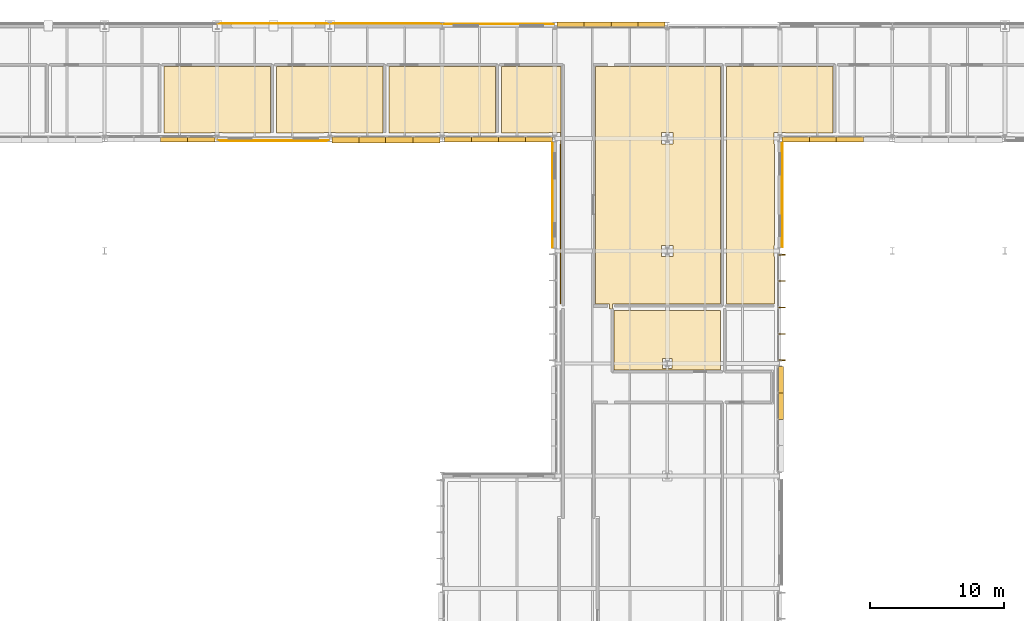
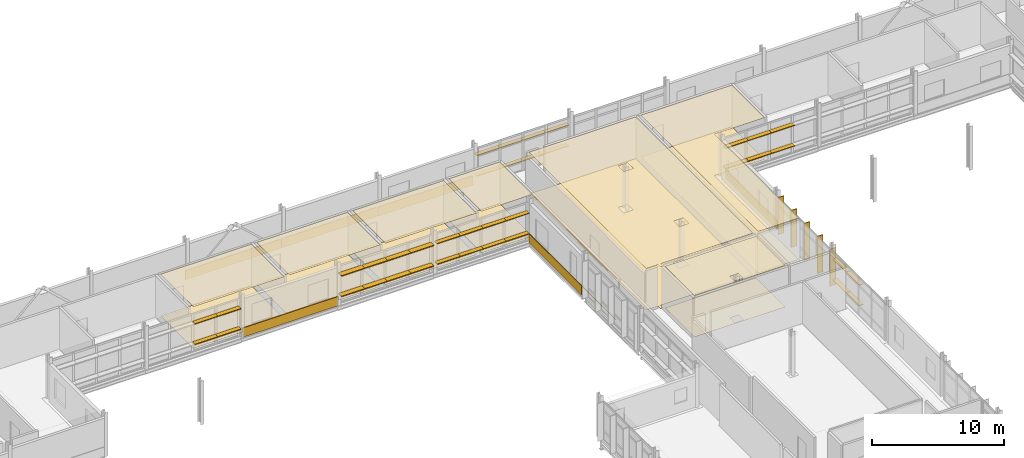
# One storey, part 144 of 151: 43 shading devices, 20 coverings.
"""IFC4 building model written with IfcOpenShell, lengths in metres."""

import ifcopenshell
import ifcopenshell.guid

model = None  # the IFC model being written
_history = None  # IfcOwnerHistory: only IFC2X3 demands one
_inside = {}  # id of a spatial element -> (the spatial element, [elements in it])
_under = {}  # id of a project, library or spatial element -> (it, [spatial elements below it])
_declared = {}  # id of a project -> (the project, [libraries it declares])
_typed = {}  # id of a type object -> (the type object, [elements of that type])
_made_of = {}  # id of a material, layer set ... -> (it, [elements and type objects made of it])


def new_model(schema):
    """Start an empty IFC model of exactly this schema.

    Asked for "IFC4X3", IfcOpenShell would pick the latest addendum, in which some entities
    have other attributes; the version numbers below select the first issue.
    IFC2X3 requires an IfcOwnerHistory on every rooted entity: one is made here for all.
    """
    global model, _history
    if schema == "IFC4X3":
        model = ifcopenshell.file(schema_version=(4, 3, 0, 0))
    else:
        model = ifcopenshell.file(schema=schema)
    _inside.clear()
    _under.clear()
    _declared.clear()
    _typed.clear()
    _made_of.clear()
    _history = None
    if model.schema == "IFC2X3":
        org = make("IfcOrganization", Name="unknown")
        user = make(
            "IfcPersonAndOrganization",
            ThePerson=make("IfcPerson", FamilyName="unknown"),
            TheOrganization=org,
        )
        app = make(
            "IfcApplication",
            ApplicationDeveloper=org,
            Version="unknown",
            ApplicationFullName="unknown",
            ApplicationIdentifier="unknown",
        )
        _history = make(
            "IfcOwnerHistory",
            OwningUser=user,
            OwningApplication=app,
            ChangeAction="ADDED",
            CreationDate=0,
        )
    return model


def make(cls, **values):
    """One entity of the class cls with the attributes given. An attribute that is None is left unset."""
    return model.create_entity(
        cls, **{name: value for name, value in values.items() if value is not None}
    )


def rooted(cls, **values):
    """An entity with a GlobalId (a new one), such as an element, a storey or a relation."""
    return make(cls, GlobalId=ifcopenshell.guid.new(), OwnerHistory=_history, **values)


def si_unit(unit_type, name, prefix=None):
    """IfcSIUnit, for example si_unit("LENGTHUNIT", "METRE", prefix="MILLI")."""
    return make("IfcSIUnit", UnitType=unit_type, Prefix=prefix, Name=name)


def assignment(units):
    """IfcUnitAssignment: the units of a project."""
    return None if units is None else make("IfcUnitAssignment", Units=units)


def point(xyz):
    """IfcCartesianPoint."""
    return None if xyz is None else make("IfcCartesianPoint", Coordinates=xyz)


def direction(xyz):
    """IfcDirection."""
    return None if xyz is None else make("IfcDirection", DirectionRatios=xyz)


def frame(location, z_axis=None, x_axis=None):
    """IfcAxis2Placement3D, a coordinate frame: its origin and axes. An axis left out is left unset."""
    return make(
        "IfcAxis2Placement3D",
        Location=point(location),
        Axis=direction(z_axis),
        RefDirection=direction(x_axis),
    )


def frame_2d(location, x_axis=None):
    """IfcAxis2Placement2D, a coordinate frame in the plane: its origin and x axis."""
    return make(
        "IfcAxis2Placement2D", Location=point(location), RefDirection=direction(x_axis)
    )


def origin():
    """The frame at (0, 0, 0) with its axes left unset."""
    return frame((0.0, 0.0, 0.0))


def origin_2d():
    """The frame at (0, 0) in the plane with its x axis left unset."""
    return frame_2d((0.0, 0.0))


def place(relative_to, where):
    """IfcLocalPlacement: puts the frame where relative to a parent placement (None: the world)."""
    return make(
        "IfcLocalPlacement", PlacementRelTo=relative_to, RelativePlacement=where
    )


def context(
    kind, dimensions, precision=None, world=None, true_north=None, identifier=None
):
    """IfcGeometricRepresentationContext, for example the 3D "Model" context."""
    return make(
        "IfcGeometricRepresentationContext",
        ContextIdentifier=identifier,
        ContextType=kind,
        CoordinateSpaceDimension=dimensions,
        Precision=precision,
        WorldCoordinateSystem=world,
        TrueNorth=true_north,
    )


def subcontext(parent, identifier, kind, view, scale=None):
    """IfcGeometricRepresentationSubContext, for example "Body" below "Model"."""
    return make(
        "IfcGeometricRepresentationSubContext",
        ContextIdentifier=identifier,
        ContextType=kind,
        ParentContext=parent,
        TargetScale=scale,
        TargetView=view,
    )


def project(units=None, contexts=None):
    """IfcProject with its units and contexts."""
    return rooted(
        "IfcProject",
        Name="project",
        RepresentationContexts=contexts,
        UnitsInContext=assignment(units),
    )


def spatial(cls, under=None, at=None, **own):
    """A site, building, storey or space (cls), placed at a placement, below another one or the project."""
    s = rooted(cls, ObjectPlacement=at, **own)
    if under is not None:
        _under.setdefault(under.id(), (under, []))[1].append(s)
    return s


def polyline(points):
    """IfcPolyline through the points."""
    return make("IfcPolyline", Points=[point(p) for p in points])


def profile(cls, at=None, kind="AREA", **sizes):
    """A parametric profile (cls). Its sizes go by their IFC names, for example OverallWidth=200.0."""
    return make(cls, ProfileType=kind, Position=at, **sizes)


def rectangle(**sizes):
    """IfcRectangleProfileDef."""
    return profile("IfcRectangleProfileDef", **sizes)


def outline(outer, holes=None, kind="AREA"):
    """IfcArbitraryClosedProfileDef: a profile drawn as a closed curve; with holes, ...WithVoids."""
    if holes is None:
        return make("IfcArbitraryClosedProfileDef", ProfileType=kind, OuterCurve=outer)
    return make(
        "IfcArbitraryProfileDefWithVoids",
        ProfileType=kind,
        OuterCurve=outer,
        InnerCurves=holes,
    )


def extrude(swept, where, along, depth):
    """IfcExtrudedAreaSolid: the profile swept, set in the frame where, extruded along a direction by depth."""
    return make(
        "IfcExtrudedAreaSolid",
        SweptArea=swept,
        Position=where,
        ExtrudedDirection=direction(along),
        Depth=depth,
    )


def shape(context_of_items, identifier, shape_type, items):
    """IfcShapeRepresentation: the items that make up one representation, for example the "Body"."""
    return make(
        "IfcShapeRepresentation",
        ContextOfItems=context_of_items,
        RepresentationIdentifier=identifier,
        RepresentationType=shape_type,
        Items=items,
    )


def material(Name=None, Category=None):
    """IfcMaterial."""
    return make("IfcMaterial", Name=Name, Category=Category)


def layer(
    of_material, thickness, ventilated=None, Name=None, Category=None, Priority=None
):
    """IfcMaterialLayer: one layer of a wall or slab, of a material (None: an air gap)."""
    return make(
        "IfcMaterialLayer",
        Material=of_material,
        LayerThickness=thickness,
        IsVentilated=ventilated,
        Name=Name,
        Category=Category,
        Priority=Priority,
    )


def layer_set(layers, Name=None):
    """IfcMaterialLayerSet."""
    return make("IfcMaterialLayerSet", MaterialLayers=layers, LayerSetName=Name)


def made_of(thing, what):
    """Note that an element or type object is made of a material, layer set ...; save() writes the relation."""
    if what is not None:
        _made_of.setdefault(what.id(), (what, []))[1].append(thing)
    return thing


def type_object(cls, material=None, **own):
    """A type object (cls), such as IfcWallType, which elements share."""
    return made_of(rooted(cls, **own), material)


def element(
    cls,
    number,
    at=None,
    inside=None,
    cuts=None,
    type_object=None,
    material=None,
    context=None,
    identifier="Body",
    shape_type=None,
    held_by="IfcProductDefinitionShape",
    body=None,
    shapes=None,
    **own,
):
    """One element of the class cls, such as IfcWall. Its Tag is "e" and its number.

    at: its placement. inside: the storey or other place that contains it. cuts: it is an
    opening in that element (IfcRelVoidsElement). A single representation is given by context,
    identifier, shape_type and body (its items); several are given by shapes. held_by: the class
    of the entity that holds the representations. save() writes the other relations.
    """
    e = rooted(cls, Tag="e%d" % number, ObjectPlacement=at, **own)
    if body is not None:
        shapes = [shape(context, identifier, shape_type, body)]
    if shapes is not None:
        e.Representation = make(held_by, Representations=shapes)
    if inside is not None:
        _inside.setdefault(inside.id(), (inside, []))[1].append(e)
    if cuts is not None:
        rooted(
            "IfcRelVoidsElement", RelatingBuildingElement=cuts, RelatedOpeningElement=e
        )
    if type_object is not None:
        _typed.setdefault(type_object.id(), (type_object, []))[1].append(e)
    return made_of(e, material)


def aggregate(whole, parts):
    """IfcRelAggregates: a whole, such as a stair, and the parts it consists of."""
    return rooted("IfcRelAggregates", RelatingObject=whole, RelatedObjects=parts)


def save(model, path):
    """Write the relations noted so far, then the file.

    IfcRelAggregates (storeys below a building ...), IfcRelContainedInSpatialStructure (elements
    in a storey), IfcRelDefinesByType, IfcRelAssociatesMaterial and IfcRelDeclares: one each for
    every whole, place, type object, material and project.
    """
    for whole, parts in _under.values():
        aggregate(whole, parts)
    for where, things in _inside.values():
        rooted(
            "IfcRelContainedInSpatialStructure",
            RelatedElements=things,
            RelatingStructure=where,
        )
    for kind, things in _typed.values():
        rooted("IfcRelDefinesByType", RelatedObjects=things, RelatingType=kind)
    for what, things in _made_of.values():
        rooted("IfcRelAssociatesMaterial", RelatedObjects=things, RelatingMaterial=what)
    for by, libraries in _declared.values():
        rooted("IfcRelDeclares", RelatingContext=by, RelatedDefinitions=libraries)
    model.write(path)


model = new_model("IFC4")

# Units and contexts
model_context = context("Model", 3, precision=1e-05, world=origin(), true_north=direction((0.0, 1.0)))
body_context = subcontext(model_context, "Body", "Model", "MODEL_VIEW")
ifc_project = project(units=[si_unit("LENGTHUNIT", "METRE"), si_unit("AREAUNIT", "SQUARE_METRE"), si_unit("VOLUMEUNIT", "CUBIC_METRE"), si_unit("PLANEANGLEUNIT", "RADIAN"), si_unit("MASSUNIT", "GRAM", prefix="KILO")], contexts=[model_context])

# Site, building, storey
site_placement = place(None, origin())
site = spatial("IfcSite", under=ifc_project, at=site_placement, CompositionType="ELEMENT")
building_placement = place(site_placement, origin())
building = spatial("IfcBuilding", under=site, at=building_placement, Name="Mersafa Astral City Hall", CompositionType="ELEMENT")
storey_placement = place(building_placement, frame((0.0, 0.0, 9.89990234375)))
storey = spatial("IfcBuildingStorey", under=building, at=storey_placement, Name="L02", CompositionType="ELEMENT", Elevation=9.89990234375)

# Coverings
ifc_material_1 = material(Name="Cairo Mokattam buff limestone cladding", Category="masonry")
ifc_layer_1 = layer(ifc_material_1, 0.06005859375, Name="Cairo Mokattam buff limestone cladding")
ifc_layer_set_1 = layer_set([ifc_layer_1], Name="Cairo Mokattam buff limestone cladding — ENV-COV-LIMESTONE-60")
covering_type_1 = type_object("IfcCoveringType", Name="ENV-COV-LIMESTONE-60", PredefinedType="CLADDING", material=ifc_layer_set_1)
covering_1_placement = place(storey_placement, frame((117.777099609375, 113.39990234375, 0.0), z_axis=(0.0, 0.0, 1.0), x_axis=(0.0, 1.0, 0.0)))
element("IfcCovering", 1, at=covering_1_placement, inside=storey, type_object=covering_type_1, Name="L02 Cairo buff limestone rainscreen cladding 161", PredefinedType="CLADDING", context=body_context, shape_type="SweptSolid", body=[
    extrude(rectangle(XDim=7.847900390625, YDim=0.06005859375, at=origin_2d()), origin(), (0.0, 0.0, 1.0), 0.860107421875),
])
for number, where, z_axis, x_axis, name in (
    (2, (96.60009765625, 126.139404296875, 0.0), (0.0, 0.0, 1.0), (-1.0, 0.0, 0.0), "L02 Cairo buff limestone rainscreen cladding 184"),
    (3, (88.199951171875, 126.177001953125, 0.0), (0.0, 0.0, 1.0), (-1.0, 0.0, 0.0), "L02 Cairo buff limestone rainscreen cladding 185"),
    (4, (79.800048828125, 126.16943359375, 0.0), (0.0, 0.0, 1.0), (-1.0, 0.0, 0.0), "L02 Cairo buff limestone rainscreen cladding 186"),
    (5, (79.800048828125, 117.430419921875, 0.0), (0.0, 0.0, 1.0), (1.0, 0.0, 0.0), "L02 Cairo buff limestone rainscreen cladding 204"),
):
    element("IfcCovering", number, at=place(storey_placement, frame(where, z_axis=z_axis, x_axis=x_axis)), inside=storey, type_object=covering_type_1, Name=name, PredefinedType="CLADDING", context=body_context, shape_type="SweptSolid", body=[
        extrude(rectangle(XDim=8.323974609375, YDim=0.06005859375, at=origin_2d()), origin(), (0.0, 0.0, 1.0), 0.860107421875),
    ])
covering_2_placement = place(storey_placement, frame((100.637939453125, 113.375, 0.0), z_axis=(0.0, 0.0, 1.0), x_axis=(0.0, -1.0, 0.0)))
element("IfcCovering", 6, at=covering_2_placement, inside=storey, type_object=covering_type_1, Name="L02 Cairo buff limestone rainscreen cladding 205", PredefinedType="CLADDING", context=body_context, shape_type="SweptSolid", body=[
    extrude(rectangle(XDim=7.89794921875, YDim=0.06005859375, at=origin_2d()), origin(), (0.0, 0.0, 1.0), 0.860107421875),
])

# Shading devices
ifc_material_2 = material(Name="Anodised bronze aluminium solar fin", Category="aluminium")
shading_device_type_1 = type_object("IfcShadingDeviceType", Name="ENV-SHD-FIN-500A", PredefinedType="USERDEFINED", material=ifc_material_2)
for number, where, z_axis, x_axis, name in (
    (7, (117.7451171875, 101.0419921875, -0.01513671875), (0.0, 0.0, 1.0), (0.0, 1.0, 0.0), "L02 Vertical bronze solar fin 737"),
    (8, (117.7451171875, 102.993408203125, -0.01513671875), (0.0, 0.0, 1.0), (0.0, 1.0, 0.0), "L02 Vertical bronze solar fin 738"),
    (9, (117.7451171875, 104.97509765625, -0.01513671875), (0.0, 0.0, 1.0), (0.0, 1.0, 0.0), "L02 Vertical bronze solar fin 739"),
    (10, (117.7451171875, 106.95654296875, -0.01513671875), (0.0, 0.0, 1.0), (0.0, 1.0, 0.0), "L02 Vertical bronze solar fin 740"),
    (11, (117.7451171875, 108.907958984375, -0.01513671875), (0.0, 0.0, 1.0), (0.0, 1.0, 0.0), "L02 Vertical bronze solar fin 741"),
):
    element("IfcShadingDevice", number, at=place(storey_placement, frame(where, z_axis=z_axis, x_axis=x_axis)), inside=storey, type_object=shading_device_type_1, Name=name, ObjectType="FIN", PredefinedType="USERDEFINED", context=body_context, shape_type="SweptSolid", body=[
        extrude(rectangle(XDim=0.06005859375, YDim=0.5, at=origin_2d()), origin(), (0.0, 0.0, 1.0), 3.422119140625),
    ])
ifc_material_3 = material(Name="Kiln-dried cedar timber brise-soleil blade", Category="wood")
shading_device_type_2 = type_object("IfcShadingDeviceType", Name="ENV-SHD-LOUVRE-380", PredefinedType="JALOUSIE", material=ifc_material_3)
shading_device_1_placement = place(storey_placement, frame((117.679931640625, 97.625, 0.81494140625), z_axis=(0.0, 0.0, 1.0), x_axis=(0.0, 1.0, 0.0)))
element("IfcShadingDevice", 12, at=shading_device_1_placement, inside=storey, type_object=shading_device_type_2, Name="L02 Horizontal cedar brise-soleil louvre 731", PredefinedType="JALOUSIE", context=body_context, shape_type="SweptSolid", body=[
    extrude(rectangle(XDim=2.01513671875, YDim=0.3798828125, at=origin_2d()), origin(), (0.0, 0.0, 1.0), 0.070068359375),
])
shading_device_2_placement = place(storey_placement, frame((117.679931640625, 99.58544921875, 0.81494140625), z_axis=(0.0, 0.0, 1.0), x_axis=(0.0, 1.0, 0.0)))
element("IfcShadingDevice", 13, at=shading_device_2_placement, inside=storey, type_object=shading_device_type_2, Name="L02 Horizontal cedar brise-soleil louvre 732", PredefinedType="JALOUSIE", context=body_context, shape_type="SweptSolid", body=[
    extrude(rectangle(XDim=1.985107421875, YDim=0.3798828125, at=origin_2d()), origin(), (0.0, 0.0, 1.0), 0.070068359375),
])
shading_device_3_placement = place(storey_placement, frame((117.679931640625, 97.625, 2.71484375), z_axis=(0.0, 0.0, 1.0), x_axis=(0.0, 1.0, 0.0)))
element("IfcShadingDevice", 14, at=shading_device_3_placement, inside=storey, type_object=shading_device_type_2, Name="L02 Horizontal cedar brise-soleil louvre 735", PredefinedType="JALOUSIE", context=body_context, shape_type="SweptSolid", body=[
    extrude(rectangle(XDim=2.01513671875, YDim=0.3798828125, at=origin_2d()), origin(), (0.0, 0.0, 1.0), 0.070068359375),
])
shading_device_4_placement = place(storey_placement, frame((117.679931640625, 99.58544921875, 2.71484375), z_axis=(0.0, 0.0, 1.0), x_axis=(0.0, 1.0, 0.0)))
element("IfcShadingDevice", 15, at=shading_device_4_placement, inside=storey, type_object=shading_device_type_2, Name="L02 Horizontal cedar brise-soleil louvre 736", PredefinedType="JALOUSIE", context=body_context, shape_type="SweptSolid", body=[
    extrude(rectangle(XDim=1.985107421875, YDim=0.3798828125, at=origin_2d()), origin(), (0.0, 0.0, 1.0), 0.070068359375),
])
shading_device_5_placement = place(storey_placement, frame((118.78662109375, 117.52001953125, 0.81494140625), z_axis=(0.0, 0.0, 1.0), x_axis=(1.0, 0.0, 0.0)))
element("IfcShadingDevice", 16, at=shading_device_5_placement, inside=storey, type_object=shading_device_type_2, Name="L02 Horizontal cedar brise-soleil louvre 742", PredefinedType="JALOUSIE", context=body_context, shape_type="SweptSolid", body=[
    extrude(rectangle(XDim=2.029052734375, YDim=0.3798828125, at=origin_2d()), origin(), (0.0, 0.0, 1.0), 0.070068359375),
])
for number, where, z_axis, x_axis, name in (
    (17, (120.79052734375, 117.52001953125, 0.81494140625), (0.0, 0.0, 1.0), (1.0, 0.0, 0.0), "L02 Horizontal cedar brise-soleil louvre 743"),
    (18, (122.8095703125, 117.52001953125, 0.81494140625), (0.0, 0.0, 1.0), (1.0, 0.0, 0.0), "L02 Horizontal cedar brise-soleil louvre 744"),
):
    element("IfcShadingDevice", number, at=place(storey_placement, frame(where, z_axis=z_axis, x_axis=x_axis)), inside=storey, type_object=shading_device_type_2, Name=name, PredefinedType="JALOUSIE", context=body_context, shape_type="SweptSolid", body=[
        extrude(rectangle(XDim=2.05908203125, YDim=0.3798828125, at=origin_2d()), origin(), (0.0, 0.0, 1.0), 0.070068359375),
    ])
shading_device_6_placement = place(storey_placement, frame((118.78662109375, 117.52001953125, 2.71484375), z_axis=(0.0, 0.0, 1.0), x_axis=(1.0, 0.0, 0.0)))
element("IfcShadingDevice", 19, at=shading_device_6_placement, inside=storey, type_object=shading_device_type_2, Name="L02 Horizontal cedar brise-soleil louvre 746", PredefinedType="JALOUSIE", context=body_context, shape_type="SweptSolid", body=[
    extrude(rectangle(XDim=2.029052734375, YDim=0.3798828125, at=origin_2d()), origin(), (0.0, 0.0, 1.0), 0.070068359375),
])
for number, where, z_axis, x_axis, name in (
    (20, (120.79052734375, 117.52001953125, 2.71484375), (0.0, 0.0, 1.0), (1.0, 0.0, 0.0), "L02 Horizontal cedar brise-soleil louvre 747"),
    (21, (122.8095703125, 117.52001953125, 2.71484375), (0.0, 0.0, 1.0), (1.0, 0.0, 0.0), "L02 Horizontal cedar brise-soleil louvre 748"),
):
    element("IfcShadingDevice", number, at=place(storey_placement, frame(where, z_axis=z_axis, x_axis=x_axis)), inside=storey, type_object=shading_device_type_2, Name=name, PredefinedType="JALOUSIE", context=body_context, shape_type="SweptSolid", body=[
        extrude(rectangle(XDim=2.05908203125, YDim=0.3798828125, at=origin_2d()), origin(), (0.0, 0.0, 1.0), 0.070068359375),
    ])
shading_device_7_placement = place(storey_placement, frame((108.013427734375, 126.080078125, 0.81494140625), z_axis=(0.0, 0.0, 1.0), x_axis=(-1.0, 0.0, 0.0)))
element("IfcShadingDevice", 22, at=shading_device_7_placement, inside=storey, type_object=shading_device_type_2, Name="L02 Horizontal cedar brise-soleil louvre 818", PredefinedType="JALOUSIE", context=body_context, shape_type="SweptSolid", body=[
    extrude(rectangle(XDim=2.029052734375, YDim=0.3798828125, at=origin_2d()), origin(), (0.0, 0.0, 1.0), 0.070068359375),
])
for number, where, z_axis, x_axis, name in (
    (23, (106.009521484375, 126.080078125, 0.81494140625), (0.0, 0.0, 1.0), (-1.0, 0.0, 0.0), "L02 Horizontal cedar brise-soleil louvre 819"),
    (24, (103.990478515625, 126.080078125, 0.81494140625), (0.0, 0.0, 1.0), (-1.0, 0.0, 0.0), "L02 Horizontal cedar brise-soleil louvre 820"),
):
    element("IfcShadingDevice", number, at=place(storey_placement, frame(where, z_axis=z_axis, x_axis=x_axis)), inside=storey, type_object=shading_device_type_2, Name=name, PredefinedType="JALOUSIE", context=body_context, shape_type="SweptSolid", body=[
        extrude(rectangle(XDim=2.05908203125, YDim=0.3798828125, at=origin_2d()), origin(), (0.0, 0.0, 1.0), 0.070068359375),
    ])
for number, where, z_axis, x_axis, name in (
    (25, (101.986572265625, 126.080078125, 0.81494140625), (0.0, 0.0, 1.0), (-1.0, 0.0, 0.0), "L02 Horizontal cedar brise-soleil louvre 821"),
    (26, (108.013427734375, 126.080078125, 2.71484375), (0.0, 0.0, 1.0), (-1.0, 0.0, 0.0), "L02 Horizontal cedar brise-soleil louvre 822"),
):
    element("IfcShadingDevice", number, at=place(storey_placement, frame(where, z_axis=z_axis, x_axis=x_axis)), inside=storey, type_object=shading_device_type_2, Name=name, PredefinedType="JALOUSIE", context=body_context, shape_type="SweptSolid", body=[
        extrude(rectangle(XDim=2.029052734375, YDim=0.3798828125, at=origin_2d()), origin(), (0.0, 0.0, 1.0), 0.070068359375),
    ])
for number, where, z_axis, x_axis, name in (
    (27, (106.009521484375, 126.080078125, 2.71484375), (0.0, 0.0, 1.0), (-1.0, 0.0, 0.0), "L02 Horizontal cedar brise-soleil louvre 823"),
    (28, (103.990478515625, 126.080078125, 2.71484375), (0.0, 0.0, 1.0), (-1.0, 0.0, 0.0), "L02 Horizontal cedar brise-soleil louvre 824"),
):
    element("IfcShadingDevice", number, at=place(storey_placement, frame(where, z_axis=z_axis, x_axis=x_axis)), inside=storey, type_object=shading_device_type_2, Name=name, PredefinedType="JALOUSIE", context=body_context, shape_type="SweptSolid", body=[
        extrude(rectangle(XDim=2.05908203125, YDim=0.3798828125, at=origin_2d()), origin(), (0.0, 0.0, 1.0), 0.070068359375),
    ])
shading_device_8_placement = place(storey_placement, frame((101.986572265625, 126.080078125, 2.71484375), z_axis=(0.0, 0.0, 1.0), x_axis=(-1.0, 0.0, 0.0)))
element("IfcShadingDevice", 29, at=shading_device_8_placement, inside=storey, type_object=shading_device_type_2, Name="L02 Horizontal cedar brise-soleil louvre 825", PredefinedType="JALOUSIE", context=body_context, shape_type="SweptSolid", body=[
    extrude(rectangle(XDim=2.029052734375, YDim=0.3798828125, at=origin_2d()), origin(), (0.0, 0.0, 1.0), 0.070068359375),
])
shading_device_9_placement = place(storey_placement, frame((72.409423828125, 117.52001953125, 0.81494140625), z_axis=(0.0, 0.0, 1.0), x_axis=(1.0, 0.0, 0.0)))
element("IfcShadingDevice", 30, at=shading_device_9_placement, inside=storey, type_object=shading_device_type_2, Name="L02 Horizontal cedar brise-soleil louvre 886", PredefinedType="JALOUSIE", context=body_context, shape_type="SweptSolid", body=[
    extrude(rectangle(XDim=2.05908203125, YDim=0.3798828125, at=origin_2d()), origin(), (0.0, 0.0, 1.0), 0.070068359375),
])
shading_device_10_placement = place(storey_placement, frame((74.41357421875, 117.52001953125, 0.81494140625), z_axis=(0.0, 0.0, 1.0), x_axis=(1.0, 0.0, 0.0)))
element("IfcShadingDevice", 31, at=shading_device_10_placement, inside=storey, type_object=shading_device_type_2, Name="L02 Horizontal cedar brise-soleil louvre 887", PredefinedType="JALOUSIE", context=body_context, shape_type="SweptSolid", body=[
    extrude(rectangle(XDim=2.029052734375, YDim=0.3798828125, at=origin_2d()), origin(), (0.0, 0.0, 1.0), 0.070068359375),
])
shading_device_11_placement = place(storey_placement, frame((72.409423828125, 117.52001953125, 2.71484375), z_axis=(0.0, 0.0, 1.0), x_axis=(1.0, 0.0, 0.0)))
element("IfcShadingDevice", 32, at=shading_device_11_placement, inside=storey, type_object=shading_device_type_2, Name="L02 Horizontal cedar brise-soleil louvre 890", PredefinedType="JALOUSIE", context=body_context, shape_type="SweptSolid", body=[
    extrude(rectangle(XDim=2.05908203125, YDim=0.3798828125, at=origin_2d()), origin(), (0.0, 0.0, 1.0), 0.070068359375),
])
for number, where, z_axis, x_axis, name in (
    (33, (74.41357421875, 117.52001953125, 2.71484375), (0.0, 0.0, 1.0), (1.0, 0.0, 0.0), "L02 Horizontal cedar brise-soleil louvre 891"),
    (34, (93.58642578125, 117.52001953125, 0.81494140625), (0.0, 0.0, 1.0), (1.0, 0.0, 0.0), "L02 Horizontal cedar brise-soleil louvre 900"),
):
    element("IfcShadingDevice", number, at=place(storey_placement, frame(where, z_axis=z_axis, x_axis=x_axis)), inside=storey, type_object=shading_device_type_2, Name=name, PredefinedType="JALOUSIE", context=body_context, shape_type="SweptSolid", body=[
        extrude(rectangle(XDim=2.029052734375, YDim=0.3798828125, at=origin_2d()), origin(), (0.0, 0.0, 1.0), 0.070068359375),
    ])
for number, where, z_axis, x_axis, name in (
    (35, (95.590576171875, 117.52001953125, 0.81494140625), (0.0, 0.0, 1.0), (1.0, 0.0, 0.0), "L02 Horizontal cedar brise-soleil louvre 901"),
    (36, (97.609619140625, 117.52001953125, 0.81494140625), (0.0, 0.0, 1.0), (1.0, 0.0, 0.0), "L02 Horizontal cedar brise-soleil louvre 902"),
):
    element("IfcShadingDevice", number, at=place(storey_placement, frame(where, z_axis=z_axis, x_axis=x_axis)), inside=storey, type_object=shading_device_type_2, Name=name, PredefinedType="JALOUSIE", context=body_context, shape_type="SweptSolid", body=[
        extrude(rectangle(XDim=2.05908203125, YDim=0.3798828125, at=origin_2d()), origin(), (0.0, 0.0, 1.0), 0.070068359375),
    ])
for number, where, z_axis, x_axis, name in (
    (37, (99.613525390625, 117.52001953125, 0.81494140625), (0.0, 0.0, 1.0), (1.0, 0.0, 0.0), "L02 Horizontal cedar brise-soleil louvre 903"),
    (38, (93.58642578125, 117.52001953125, 2.71484375), (0.0, 0.0, 1.0), (1.0, 0.0, 0.0), "L02 Horizontal cedar brise-soleil louvre 904"),
):
    element("IfcShadingDevice", number, at=place(storey_placement, frame(where, z_axis=z_axis, x_axis=x_axis)), inside=storey, type_object=shading_device_type_2, Name=name, PredefinedType="JALOUSIE", context=body_context, shape_type="SweptSolid", body=[
        extrude(rectangle(XDim=2.029052734375, YDim=0.3798828125, at=origin_2d()), origin(), (0.0, 0.0, 1.0), 0.070068359375),
    ])
for number, where, z_axis, x_axis, name in (
    (39, (95.590576171875, 117.52001953125, 2.71484375), (0.0, 0.0, 1.0), (1.0, 0.0, 0.0), "L02 Horizontal cedar brise-soleil louvre 905"),
    (40, (97.609619140625, 117.52001953125, 2.71484375), (0.0, 0.0, 1.0), (1.0, 0.0, 0.0), "L02 Horizontal cedar brise-soleil louvre 906"),
):
    element("IfcShadingDevice", number, at=place(storey_placement, frame(where, z_axis=z_axis, x_axis=x_axis)), inside=storey, type_object=shading_device_type_2, Name=name, PredefinedType="JALOUSIE", context=body_context, shape_type="SweptSolid", body=[
        extrude(rectangle(XDim=2.05908203125, YDim=0.3798828125, at=origin_2d()), origin(), (0.0, 0.0, 1.0), 0.070068359375),
    ])
shading_device_12_placement = place(storey_placement, frame((99.613525390625, 117.52001953125, 2.71484375), z_axis=(0.0, 0.0, 1.0), x_axis=(1.0, 0.0, 0.0)))
element("IfcShadingDevice", 41, at=shading_device_12_placement, inside=storey, type_object=shading_device_type_2, Name="L02 Horizontal cedar brise-soleil louvre 907", PredefinedType="JALOUSIE", context=body_context, shape_type="SweptSolid", body=[
    extrude(rectangle(XDim=2.029052734375, YDim=0.3798828125, at=origin_2d()), origin(), (0.0, 0.0, 1.0), 0.070068359375),
])
shading_device_type_3 = type_object("IfcShadingDeviceType", Name="ENV-SHD-LOUVRE-450", PredefinedType="JALOUSIE", material=ifc_material_3)
shading_device_13_placement = place(storey_placement, frame((85.1865234375, 117.485107421875, 0.81005859375), z_axis=(0.0, 0.0, 1.0), x_axis=(1.0, 0.0, 0.0)))
element("IfcShadingDevice", 42, at=shading_device_13_placement, inside=storey, type_object=shading_device_type_3, Name="L02 Horizontal cedar brise-soleil louvre 892", PredefinedType="JALOUSIE", context=body_context, shape_type="SweptSolid", body=[
    extrude(rectangle(XDim=2.029052734375, YDim=0.449951171875, at=origin_2d()), origin(), (0.0, 0.0, 1.0), 0.080078125),
])
for number, where, z_axis, x_axis, name in (
    (43, (87.1904296875, 117.485107421875, 0.81005859375), (0.0, 0.0, 1.0), (1.0, 0.0, 0.0), "L02 Horizontal cedar brise-soleil louvre 893"),
    (44, (89.20947265625, 117.485107421875, 0.81005859375), (0.0, 0.0, 1.0), (1.0, 0.0, 0.0), "L02 Horizontal cedar brise-soleil louvre 894"),
):
    element("IfcShadingDevice", number, at=place(storey_placement, frame(where, z_axis=z_axis, x_axis=x_axis)), inside=storey, type_object=shading_device_type_3, Name=name, PredefinedType="JALOUSIE", context=body_context, shape_type="SweptSolid", body=[
        extrude(rectangle(XDim=2.05908203125, YDim=0.449951171875, at=origin_2d()), origin(), (0.0, 0.0, 1.0), 0.080078125),
    ])
for number, where, z_axis, x_axis, name in (
    (45, (91.21337890625, 117.485107421875, 0.81005859375), (0.0, 0.0, 1.0), (1.0, 0.0, 0.0), "L02 Horizontal cedar brise-soleil louvre 895"),
    (46, (85.1865234375, 117.485107421875, 2.7099609375), (0.0, 0.0, 1.0), (1.0, 0.0, 0.0), "L02 Horizontal cedar brise-soleil louvre 896"),
):
    element("IfcShadingDevice", number, at=place(storey_placement, frame(where, z_axis=z_axis, x_axis=x_axis)), inside=storey, type_object=shading_device_type_3, Name=name, PredefinedType="JALOUSIE", context=body_context, shape_type="SweptSolid", body=[
        extrude(rectangle(XDim=2.029052734375, YDim=0.449951171875, at=origin_2d()), origin(), (0.0, 0.0, 1.0), 0.080078125),
    ])
for number, where, z_axis, x_axis, name in (
    (47, (87.1904296875, 117.485107421875, 2.7099609375), (0.0, 0.0, 1.0), (1.0, 0.0, 0.0), "L02 Horizontal cedar brise-soleil louvre 897"),
    (48, (89.20947265625, 117.485107421875, 2.7099609375), (0.0, 0.0, 1.0), (1.0, 0.0, 0.0), "L02 Horizontal cedar brise-soleil louvre 898"),
):
    element("IfcShadingDevice", number, at=place(storey_placement, frame(where, z_axis=z_axis, x_axis=x_axis)), inside=storey, type_object=shading_device_type_3, Name=name, PredefinedType="JALOUSIE", context=body_context, shape_type="SweptSolid", body=[
        extrude(rectangle(XDim=2.05908203125, YDim=0.449951171875, at=origin_2d()), origin(), (0.0, 0.0, 1.0), 0.080078125),
    ])
shading_device_14_placement = place(storey_placement, frame((91.21337890625, 117.485107421875, 2.7099609375), z_axis=(0.0, 0.0, 1.0), x_axis=(1.0, 0.0, 0.0)))
element("IfcShadingDevice", 49, at=shading_device_14_placement, inside=storey, type_object=shading_device_type_3, Name="L02 Horizontal cedar brise-soleil louvre 899", PredefinedType="JALOUSIE", context=body_context, shape_type="SweptSolid", body=[
    extrude(rectangle(XDim=2.029052734375, YDim=0.449951171875, at=origin_2d()), origin(), (0.0, 0.0, 1.0), 0.080078125),
])

# Coverings
ifc_material_4 = material(Name="Perforated acoustic gypsum board ceiling", Category="gypsum")
ifc_layer_2 = layer(ifc_material_4, 0.02490234375, Name="Perforated acoustic gypsum board ceiling")
ifc_layer_set_2 = layer_set([ifc_layer_2], Name="Perforated acoustic gypsum board ceiling — INT-COV-CEIL-25")
covering_type_2 = type_object("IfcCoveringType", Name="INT-COV-CEIL-25", PredefinedType="CEILING", material=ifc_layer_set_2)
covering_3_placement = place(storey_placement, frame((0.0, 0.0, 3.8310546875)))
element("IfcCovering", 50, at=covering_3_placement, inside=storey, type_object=covering_type_2, Name="L02 Standing Committee Room L02-03 acoustic ceiling", PredefinedType="CEILING", context=body_context, shape_type="SweptSolid", body=[
    extrude(outline(polyline([(105.1201171875, 105.22998046875), (105.1201171875, 104.8798828125), (104.8798828125, 104.8798828125), (104.8798828125, 105.22998046875), (103.840087890625, 105.22998046875), (103.840087890625, 122.9599609375), (113.169921875, 122.9599609375), (113.169921875, 105.22998046875), (105.1201171875, 105.22998046875)]), holes=[polyline([(109.6201171875, 108.780029296875), (109.6201171875, 109.6201171875), (108.780029296875, 109.6201171875), (108.780029296875, 108.780029296875), (109.6201171875, 108.780029296875)]), polyline([(109.6201171875, 117.179931640625), (109.6201171875, 118.02001953125), (108.780029296875, 118.02001953125), (108.780029296875, 117.179931640625), (109.6201171875, 117.179931640625)])]), origin(), (0.0, 0.0, 1.0), 0.025146484375),
])
covering_4_placement = place(storey_placement, frame((0.0, 0.0, 3.8310546875)))
element("IfcCovering", 51, at=covering_4_placement, inside=storey, type_object=covering_type_2, Name="L02 Urban Planning Studio L02-07 acoustic ceiling", PredefinedType="CEILING", context=body_context, shape_type="SweptSolid", body=[
    extrude(outline(polyline([(113.6298828125, 122.9599609375), (121.570068359375, 122.9599609375), (121.570068359375, 118.0), (118.02001953125, 118.0), (118.02001953125, 118.02001953125), (117.179931640625, 118.02001953125), (117.179931640625, 117.179931640625), (117.199951171875, 117.179931640625), (117.199951171875, 109.6201171875), (117.179931640625, 109.6201171875), (117.179931640625, 108.780029296875), (117.199951171875, 108.780029296875), (117.199951171875, 105.22998046875), (113.6298828125, 105.22998046875), (113.6298828125, 122.9599609375)])), origin(), (0.0, 0.0, 1.0), 0.025146484375),
])
covering_5_placement = place(storey_placement, frame((0.0, 0.0, 3.8310546875)))
element("IfcCovering", 52, at=covering_5_placement, inside=storey, type_object=covering_type_2, Name="L02 Civic Model Exhibition Room L02-18 acoustic ceiling", PredefinedType="CEILING", context=body_context, shape_type="SweptSolid", body=[
    extrude(outline(polyline([(79.570068359375, 122.9599609375), (79.570068359375, 118.0), (76.02001953125, 118.0), (76.02001953125, 118.02001953125), (75.179931640625, 118.02001953125), (75.179931640625, 118.0), (71.6298828125, 118.0), (71.6298828125, 122.9599609375), (79.570068359375, 122.9599609375)])), origin(), (0.0, 0.0, 1.0), 0.025146484375),
])
covering_6_placement = place(storey_placement, frame((0.0, 0.0, 3.8310546875)))
element("IfcCovering", 53, at=covering_6_placement, inside=storey, type_object=covering_type_2, Name="L02 Public Restroom L02-19 acoustic ceiling", PredefinedType="CEILING", context=body_context, shape_type="SweptSolid", body=[
    extrude(outline(polyline([(87.969970703125, 122.9599609375), (87.969970703125, 118.0), (84.419921875, 118.0), (84.419921875, 118.02001953125), (83.580078125, 118.02001953125), (83.580078125, 118.0), (80.030029296875, 118.0), (80.030029296875, 122.9599609375), (87.969970703125, 122.9599609375)])), origin(), (0.0, 0.0, 1.0), 0.025146484375),
])
covering_7_placement = place(storey_placement, frame((0.0, 0.0, 3.8310546875)))
element("IfcCovering", 54, at=covering_7_placement, inside=storey, type_object=covering_type_2, Name="L02 Municipal Reference Reading Room L02-24 acoustic ceiling", PredefinedType="CEILING", context=body_context, shape_type="SweptSolid", body=[
    extrude(outline(polyline([(113.169921875, 104.77001953125), (113.169921875, 100.320068359375), (105.22998046875, 100.320068359375), (105.22998046875, 104.77001953125), (113.169921875, 104.77001953125)]), holes=[polyline([(109.570068359375, 100.429931640625), (109.570068359375, 101.169921875), (108.830078125, 101.169921875), (108.830078125, 100.429931640625), (109.570068359375, 100.429931640625)])]), origin(), (0.0, 0.0, 1.0), 0.025146484375),
])
covering_8_placement = place(storey_placement, frame((0.0, 0.0, 3.8310546875)))
element("IfcCovering", 55, at=covering_8_placement, inside=storey, type_object=covering_type_2, Name="L02 GIS & Cadastre Mapping Laboratory L02-26 acoustic ceiling", PredefinedType="CEILING", context=body_context, shape_type="SweptSolid", body=[
    extrude(outline(polyline([(96.830078125, 122.9599609375), (101.280029296875, 122.9599609375), (101.280029296875, 105.22998046875), (101.199951171875, 105.22998046875), (101.199951171875, 117.179931640625), (101.219970703125, 117.179931640625), (101.219970703125, 118.02001953125), (100.3798828125, 118.02001953125), (100.3798828125, 118.0), (96.830078125, 118.0), (96.830078125, 122.9599609375)])), origin(), (0.0, 0.0, 1.0), 0.025146484375),
])
ifc_material_5 = material(Name="Slatted cedar timber acoustic baffle ceiling", Category="wood")
ifc_layer_3 = layer(ifc_material_5, 0.034912109375, Name="Slatted cedar timber acoustic baffle ceiling")
ifc_layer_set_3 = layer_set([ifc_layer_3], Name="Slatted cedar timber acoustic baffle ceiling — INT-COV-CEIL-35")
covering_type_3 = type_object("IfcCoveringType", Name="INT-COV-CEIL-35", PredefinedType="CEILING", material=ifc_layer_set_3)
covering_9_placement = place(storey_placement, frame((0.0, 0.0, 3.821044921875)))
element("IfcCovering", 56, at=covering_9_placement, inside=storey, type_object=covering_type_3, Name="L02 Press Gallery L02-20 acoustic ceiling", PredefinedType="CEILING", context=body_context, shape_type="SweptSolid", body=[
    extrude(outline(polyline([(96.3701171875, 122.9599609375), (96.3701171875, 118.0), (92.820068359375, 118.0), (92.820068359375, 118.02001953125), (91.97998046875, 118.02001953125), (91.97998046875, 118.0), (88.429931640625, 118.0), (88.429931640625, 122.9599609375), (96.3701171875, 122.9599609375)])), origin(), (0.0, 0.0, 1.0), 0.03515625),
])
ifc_material_6 = material(Name="Heavy-duty woven acoustic carpet tile", Category="finish")
ifc_layer_4 = layer(ifc_material_6, 0.014892578125, Name="Heavy-duty woven acoustic carpet tile")
ifc_layer_set_4 = layer_set([ifc_layer_4], Name="Heavy-duty woven acoustic carpet tile — INT-COV-FLR-15")
covering_type_4 = type_object("IfcCoveringType", Name="INT-COV-FLR-15", PredefinedType="FLOORING", material=ifc_layer_set_4)
covering_10_placement = place(storey_placement, frame((0.0, 0.0, -0.00146484375)))
element("IfcCovering", 57, at=covering_10_placement, inside=storey, type_object=covering_type_4, Name="L02 Standing Committee Room L02-03 architectural flooring", PredefinedType="FLOORING", context=body_context, shape_type="SweptSolid", body=[
    extrude(outline(polyline([(105.1201171875, 105.22998046875), (105.1201171875, 104.8798828125), (104.8798828125, 104.8798828125), (104.8798828125, 105.22998046875), (103.840087890625, 105.22998046875), (103.840087890625, 122.9599609375), (113.169921875, 122.9599609375), (113.169921875, 105.22998046875), (105.1201171875, 105.22998046875)]), holes=[polyline([(109.6201171875, 108.780029296875), (109.6201171875, 109.6201171875), (108.780029296875, 109.6201171875), (108.780029296875, 108.780029296875), (109.6201171875, 108.780029296875)]), polyline([(109.6201171875, 117.179931640625), (109.6201171875, 118.02001953125), (108.780029296875, 118.02001953125), (108.780029296875, 117.179931640625), (109.6201171875, 117.179931640625)])]), origin(), (0.0, 0.0, 1.0), 0.014892578125),
])
covering_11_placement = place(storey_placement, frame((0.0, 0.0, -0.00146484375)))
element("IfcCovering", 58, at=covering_11_placement, inside=storey, type_object=covering_type_4, Name="L02 Urban Planning Studio L02-07 architectural flooring", PredefinedType="FLOORING", context=body_context, shape_type="SweptSolid", body=[
    extrude(outline(polyline([(113.6298828125, 122.9599609375), (121.570068359375, 122.9599609375), (121.570068359375, 118.0), (118.02001953125, 118.0), (118.02001953125, 118.02001953125), (117.179931640625, 118.02001953125), (117.179931640625, 117.179931640625), (117.199951171875, 117.179931640625), (117.199951171875, 109.6201171875), (117.179931640625, 109.6201171875), (117.179931640625, 108.780029296875), (117.199951171875, 108.780029296875), (117.199951171875, 105.22998046875), (113.6298828125, 105.22998046875), (113.6298828125, 122.9599609375)])), origin(), (0.0, 0.0, 1.0), 0.014892578125),
])
covering_12_placement = place(storey_placement, frame((0.0, 0.0, -0.00146484375)))
element("IfcCovering", 59, at=covering_12_placement, inside=storey, type_object=covering_type_4, Name="L02 Civic Model Exhibition Room L02-18 architectural flooring", PredefinedType="FLOORING", context=body_context, shape_type="SweptSolid", body=[
    extrude(outline(polyline([(79.570068359375, 122.9599609375), (79.570068359375, 118.0), (76.02001953125, 118.0), (76.02001953125, 118.02001953125), (75.179931640625, 118.02001953125), (75.179931640625, 118.0), (71.6298828125, 118.0), (71.6298828125, 122.9599609375), (79.570068359375, 122.9599609375)])), origin(), (0.0, 0.0, 1.0), 0.014892578125),
])
covering_13_placement = place(storey_placement, frame((0.0, 0.0, -0.00146484375)))
element("IfcCovering", 60, at=covering_13_placement, inside=storey, type_object=covering_type_4, Name="L02 Public Restroom L02-19 architectural flooring", PredefinedType="FLOORING", context=body_context, shape_type="SweptSolid", body=[
    extrude(outline(polyline([(87.969970703125, 122.9599609375), (87.969970703125, 118.0), (84.419921875, 118.0), (84.419921875, 118.02001953125), (83.580078125, 118.02001953125), (83.580078125, 118.0), (80.030029296875, 118.0), (80.030029296875, 122.9599609375), (87.969970703125, 122.9599609375)])), origin(), (0.0, 0.0, 1.0), 0.014892578125),
])
covering_14_placement = place(storey_placement, frame((0.0, 0.0, -0.00146484375)))
element("IfcCovering", 61, at=covering_14_placement, inside=storey, type_object=covering_type_4, Name="L02 Press Gallery L02-20 architectural flooring", PredefinedType="FLOORING", context=body_context, shape_type="SweptSolid", body=[
    extrude(outline(polyline([(96.3701171875, 122.9599609375), (96.3701171875, 118.0), (92.820068359375, 118.0), (92.820068359375, 118.02001953125), (91.97998046875, 118.02001953125), (91.97998046875, 118.0), (88.429931640625, 118.0), (88.429931640625, 122.9599609375), (96.3701171875, 122.9599609375)])), origin(), (0.0, 0.0, 1.0), 0.014892578125),
])
covering_15_placement = place(storey_placement, frame((0.0, 0.0, -0.00146484375)))
element("IfcCovering", 62, at=covering_15_placement, inside=storey, type_object=covering_type_4, Name="L02 Municipal Reference Reading Room L02-24 architectural flooring", PredefinedType="FLOORING", context=body_context, shape_type="SweptSolid", body=[
    extrude(outline(polyline([(113.169921875, 104.77001953125), (113.169921875, 100.320068359375), (105.22998046875, 100.320068359375), (105.22998046875, 104.77001953125), (113.169921875, 104.77001953125)]), holes=[polyline([(109.570068359375, 100.429931640625), (109.570068359375, 101.169921875), (108.830078125, 101.169921875), (108.830078125, 100.429931640625), (109.570068359375, 100.429931640625)])]), origin(), (0.0, 0.0, 1.0), 0.014892578125),
])
covering_16_placement = place(storey_placement, frame((0.0, 0.0, -0.00146484375)))
element("IfcCovering", 63, at=covering_16_placement, inside=storey, type_object=covering_type_4, Name="L02 GIS & Cadastre Mapping Laboratory L02-26 architectural flooring", PredefinedType="FLOORING", context=body_context, shape_type="SweptSolid", body=[
    extrude(outline(polyline([(96.830078125, 122.9599609375), (101.280029296875, 122.9599609375), (101.280029296875, 105.22998046875), (101.199951171875, 105.22998046875), (101.199951171875, 117.179931640625), (101.219970703125, 117.179931640625), (101.219970703125, 118.02001953125), (100.3798828125, 118.02001953125), (100.3798828125, 118.0), (96.830078125, 118.0), (96.830078125, 122.9599609375)])), origin(), (0.0, 0.0, 1.0), 0.014892578125),
])

save(model, "model.ifc")
